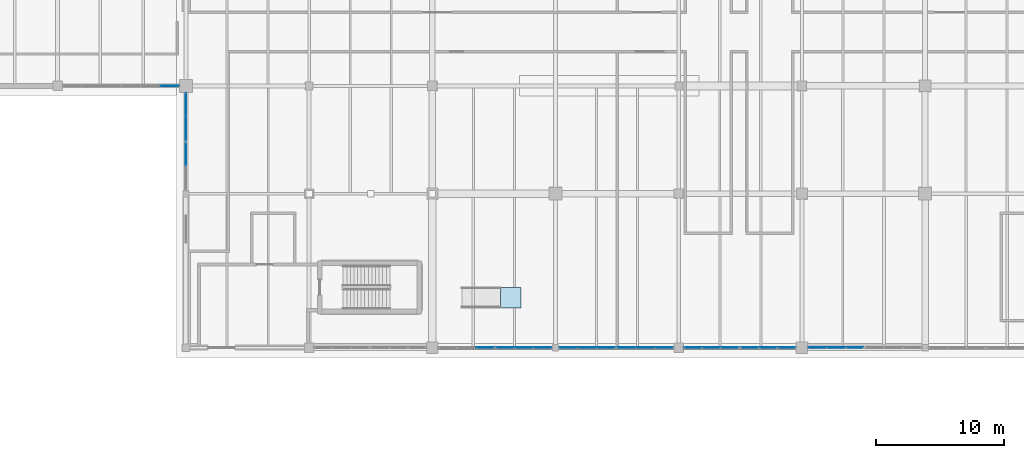
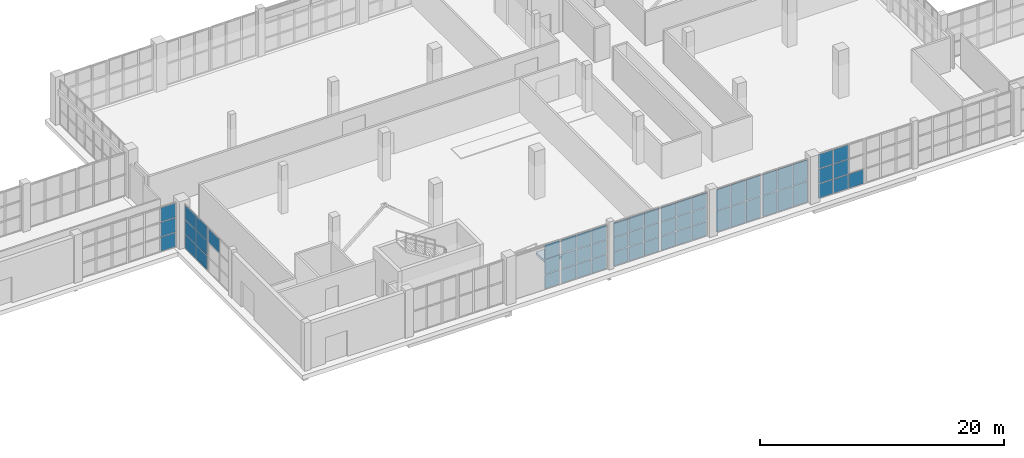
# One storey, part 77 of 121: 59 plates, 1 slab, 11 elements without a shape of their own.
"""IFC4 building model written with IfcOpenShell, lengths in metres."""

from ifc_helpers import new_model, si_unit, direction, frame, origin, origin_2d, place, context, subcontext, project, spatial, polyline, rectangle, outline, extrude, material, layer, layer_set, type_object, element, aggregate, save


model = new_model("IFC4")

# Units and contexts
model_context = context("Model", 3, precision=1e-05, world=origin(), true_north=direction((0.0, 1.0)))
body_context = subcontext(model_context, "Body", "Model", "MODEL_VIEW")
ifc_project = project(units=[si_unit("LENGTHUNIT", "METRE"), si_unit("AREAUNIT", "SQUARE_METRE"), si_unit("VOLUMEUNIT", "CUBIC_METRE"), si_unit("PLANEANGLEUNIT", "RADIAN"), si_unit("MASSUNIT", "GRAM", prefix="KILO")], contexts=[model_context])

# Site, building, storey
site_placement = place(None, origin())
site = spatial("IfcSite", under=ifc_project, at=site_placement, CompositionType="ELEMENT")
building_placement = place(site_placement, origin())
building = spatial("IfcBuilding", under=site, at=building_placement, Name="Zereglee Splitstone Museum", CompositionType="ELEMENT")
storey_placement = place(building_placement, origin())
storey = spatial("IfcBuildingStorey", under=building, at=storey_placement, Name="L00", CompositionType="ELEMENT", Elevation=0.0)

# Curtain wall, plates
ifc_material_1 = material(Name="Triple-glazed low-E argon glass and bronze-anodised aluminium", Category="aluminium")
ifc_layer_1 = layer(ifc_material_1, 0.179931640625)
ifc_layer_set_1 = layer_set([ifc_layer_1], Name="Triple-glazed low-E argon glass and bronze-anodised aluminium")
curtain_wall_type_1 = type_object("IfcCurtainWallType", Name="CW-0451-448", PredefinedType="USERDEFINED", material=ifc_layer_set_1)
curtain_wall_1_placement = place(storey_placement, origin())
curtain_wall_1 = element("IfcCurtainWall", 1, at=curtain_wall_1_placement, inside=storey, type_object=curtain_wall_type_1, Name="Glazed Curtain Wall CW-0451-448 (L00)", ObjectType="GLAZED CURTAIN WALL", PredefinedType="USERDEFINED")
ifc_material_2 = material(Name="Triple low-e argon insulated safety glass", Category="glass")
ifc_layer_2 = layer(ifc_material_2, 0.035888671875)
ifc_layer_set_2 = layer_set([ifc_layer_2], Name="Triple low-e argon insulated safety glass")
plate_type = type_object("IfcPlateType", Name="CWP-01", PredefinedType="CURTAIN_PANEL", material=ifc_layer_set_2)
plate_1_placement = place(storey_placement, frame((76.723388671875, 30.0, 0.06494140625), z_axis=(0.0, 0.0, 1.0), x_axis=(1.0, 0.0, 0.0)))
plate_1 = element("IfcPlate", 2, at=plate_1_placement, type_object=plate_type, Name="CW-0451-448 panel 3.1", PredefinedType="CURTAIN_PANEL", context=body_context, shape_type="SweptSolid", body=[
    extrude(rectangle(XDim=1.4072265625, YDim=0.035888671875, at=origin_2d()), origin(), (0.0, 0.0, 1.0), 1.395751953125),
])
plate_2_placement = place(storey_placement, frame((76.723388671875, 30.0, 1.52587890625), z_axis=(0.0, 0.0, 1.0), x_axis=(1.0, 0.0, 0.0)))
plate_2 = element("IfcPlate", 3, at=plate_2_placement, type_object=plate_type, Name="CW-0451-448 panel 3.2", PredefinedType="CURTAIN_PANEL", context=body_context, shape_type="SweptSolid", body=[
    extrude(rectangle(XDim=1.4072265625, YDim=0.035888671875, at=origin_2d()), origin(), (0.0, 0.0, 1.0), 1.428466796875),
])
plate_3_placement = place(storey_placement, frame((76.723388671875, 30.0, 3.01904296875), z_axis=(0.0, 0.0, 1.0), x_axis=(1.0, 0.0, 0.0)))
plate_3 = element("IfcPlate", 4, at=plate_3_placement, type_object=plate_type, Name="CW-0451-448 panel 3.3", PredefinedType="CURTAIN_PANEL", context=body_context, shape_type="SweptSolid", body=[
    extrude(rectangle(XDim=1.4072265625, YDim=0.035888671875, at=origin_2d()), origin(), (0.0, 0.0, 1.0), 1.395751953125),
])
aggregate(curtain_wall_1, [plate_1, plate_2, plate_3])

ifc_layer_3 = layer(ifc_material_1, 0.179931640625)
ifc_layer_set_3 = layer_set([ifc_layer_3], Name="Triple-glazed low-E argon glass and bronze-anodised aluminium")
curtain_wall_type_2 = type_object("IfcCurtainWallType", Name="CW-0378-444", PredefinedType="USERDEFINED", material=ifc_layer_set_3)
curtain_wall_2_placement = place(storey_placement, origin())
curtain_wall_2 = element("IfcCurtainWall", 5, at=curtain_wall_2_placement, inside=storey, type_object=curtain_wall_type_2, Name="Glazed Curtain Wall CW-0378-444 (L00)", ObjectType="GLAZED CURTAIN WALL", PredefinedType="USERDEFINED")
plate_4_placement = place(storey_placement, frame((78.0, 28.531494140625, 0.06494140625), z_axis=(0.0, 0.0, 1.0), x_axis=(0.0, -1.0, 0.0)))
plate_4 = element("IfcPlate", 6, at=plate_4_placement, type_object=plate_type, Name="CW-0378-444 panel 1.1", PredefinedType="CURTAIN_PANEL", context=body_context, shape_type="SweptSolid", body=[
    extrude(rectangle(XDim=1.791015625, YDim=0.035888671875, at=origin_2d()), origin(), (0.0, 0.0, 1.0), 1.382568359375),
])
plate_5_placement = place(storey_placement, frame((78.0, 28.531494140625, 1.512451171875), z_axis=(0.0, 0.0, 1.0), x_axis=(0.0, -1.0, 0.0)))
plate_5 = element("IfcPlate", 7, at=plate_5_placement, type_object=plate_type, Name="CW-0378-444 panel 1.2", PredefinedType="CURTAIN_PANEL", context=body_context, shape_type="SweptSolid", body=[
    extrude(rectangle(XDim=1.791015625, YDim=0.035888671875, at=origin_2d()), origin(), (0.0, 0.0, 1.0), 1.4150390625),
])
plate_6_placement = place(storey_placement, frame((78.0, 28.531494140625, 2.99267578125), z_axis=(0.0, 0.0, 1.0), x_axis=(0.0, -1.0, 0.0)))
plate_6 = element("IfcPlate", 8, at=plate_6_placement, type_object=plate_type, Name="CW-0378-444 panel 1.3", PredefinedType="CURTAIN_PANEL", context=body_context, shape_type="SweptSolid", body=[
    extrude(rectangle(XDim=1.791015625, YDim=0.035888671875, at=origin_2d()), origin(), (0.0, 0.0, 1.0), 1.382568359375),
])
plate_7_placement = place(storey_placement, frame((78.0, 26.675537109375, 0.06494140625), z_axis=(0.0, 0.0, 1.0), x_axis=(0.0, -1.0, 0.0)))
plate_7 = element("IfcPlate", 9, at=plate_7_placement, type_object=plate_type, Name="CW-0378-444 panel 2.1", PredefinedType="CURTAIN_PANEL", context=body_context, shape_type="SweptSolid", body=[
    extrude(rectangle(XDim=1.791015625, YDim=0.035888671875, at=origin_2d()), origin(), (0.0, 0.0, 1.0), 1.382568359375),
])
plate_8_placement = place(storey_placement, frame((78.0, 26.675537109375, 1.512451171875), z_axis=(0.0, 0.0, 1.0), x_axis=(0.0, -1.0, 0.0)))
plate_8 = element("IfcPlate", 10, at=plate_8_placement, type_object=plate_type, Name="CW-0378-444 panel 2.2", PredefinedType="CURTAIN_PANEL", context=body_context, shape_type="SweptSolid", body=[
    extrude(rectangle(XDim=1.791015625, YDim=0.035888671875, at=origin_2d()), origin(), (0.0, 0.0, 1.0), 1.4150390625),
])
plate_9_placement = place(storey_placement, frame((78.0, 26.675537109375, 2.99267578125), z_axis=(0.0, 0.0, 1.0), x_axis=(0.0, -1.0, 0.0)))
plate_9 = element("IfcPlate", 11, at=plate_9_placement, type_object=plate_type, Name="CW-0378-444 panel 2.3", PredefinedType="CURTAIN_PANEL", context=body_context, shape_type="SweptSolid", body=[
    extrude(rectangle(XDim=1.791015625, YDim=0.035888671875, at=origin_2d()), origin(), (0.0, 0.0, 1.0), 1.382568359375),
])
aggregate(curtain_wall_2, [plate_4, plate_5, plate_6, plate_7, plate_8, plate_9])

# Curtain wall, plate
ifc_layer_4 = layer(ifc_material_1, 0.179931640625)
ifc_layer_set_4 = layer_set([ifc_layer_4], Name="Triple-glazed low-E argon glass and bronze-anodised aluminium")
curtain_wall_type_3 = type_object("IfcCurtainWallType", Name="CW-0378-442", PredefinedType="USERDEFINED", material=ifc_layer_set_4)
curtain_wall_3_placement = place(storey_placement, origin())
curtain_wall_3 = element("IfcCurtainWall", 12, at=curtain_wall_3_placement, inside=storey, type_object=curtain_wall_type_3, Name="Glazed Curtain Wall CW-0378-442 (L00)", ObjectType="GLAZED CURTAIN WALL", PredefinedType="USERDEFINED")
plate_10_placement = place(storey_placement, frame((78.0, 24.674560546875, 2.97900390625), z_axis=(0.0, 0.0, 1.0), x_axis=(0.0, -1.0, 0.0)))
plate_10 = element("IfcPlate", 13, at=plate_10_placement, type_object=plate_type, Name="CW-0378-442 panel 1.3", PredefinedType="CURTAIN_PANEL", context=body_context, shape_type="SweptSolid", body=[
    extrude(rectangle(XDim=1.791015625, YDim=0.035888671875, at=origin_2d()), origin(), (0.0, 0.0, 1.0), 1.375732421875),
])
aggregate(curtain_wall_3, [plate_10])

# Curtain wall, plates
ifc_layer_5 = layer(ifc_material_1, 0.179931640625)
ifc_layer_set_5 = layer_set([ifc_layer_5], Name="Triple-glazed low-E argon glass and bronze-anodised aluminium")
curtain_wall_type_4 = type_object("IfcCurtainWallType", Name="CW-0440-450", PredefinedType="USERDEFINED", material=ifc_layer_set_5)
curtain_wall_4_placement = place(storey_placement, origin())
curtain_wall_4 = element("IfcCurtainWall", 14, at=curtain_wall_4_placement, inside=storey, type_object=curtain_wall_type_4, Name="Glazed Curtain Wall CW-0440-450 (L00)", ObjectType="GLAZED CURTAIN WALL", PredefinedType="USERDEFINED")
plate_11_placement = place(storey_placement, frame((101.31005859375, 9.60009765625, 0.06494140625), z_axis=(0.0, 0.0, 1.0), x_axis=(1.0, 0.0, 0.0)))
plate_11 = element("IfcPlate", 15, at=plate_11_placement, type_object=plate_type, Name="CW-0440-450 panel 3.1", PredefinedType="CURTAIN_PANEL", context=body_context, shape_type="SweptSolid", body=[
    extrude(rectangle(XDim=1.369873046875, YDim=0.035888671875, at=origin_2d()), origin(), (0.0, 0.0, 1.0), 1.402587890625),
])
plate_12_placement = place(storey_placement, frame((101.31005859375, 9.60009765625, 1.532470703125), z_axis=(0.0, 0.0, 1.0), x_axis=(1.0, 0.0, 0.0)))
plate_12 = element("IfcPlate", 16, at=plate_12_placement, type_object=plate_type, Name="CW-0440-450 panel 3.2", PredefinedType="CURTAIN_PANEL", context=body_context, shape_type="SweptSolid", body=[
    extrude(rectangle(XDim=1.369873046875, YDim=0.035888671875, at=origin_2d()), origin(), (0.0, 0.0, 1.0), 1.43505859375),
])
plate_13_placement = place(storey_placement, frame((101.31005859375, 9.60009765625, 3.0322265625), z_axis=(0.0, 0.0, 1.0), x_axis=(1.0, 0.0, 0.0)))
plate_13 = element("IfcPlate", 17, at=plate_13_placement, type_object=plate_type, Name="CW-0440-450 panel 3.3", PredefinedType="CURTAIN_PANEL", context=body_context, shape_type="SweptSolid", body=[
    extrude(rectangle(XDim=1.369873046875, YDim=0.035888671875, at=origin_2d()), origin(), (0.0, 0.0, 1.0), 1.402587890625),
])
aggregate(curtain_wall_4, [plate_11, plate_12, plate_13])

ifc_layer_6 = layer(ifc_material_1, 0.179931640625)
ifc_layer_set_6 = layer_set([ifc_layer_6], Name="Triple-glazed low-E argon glass and bronze-anodised aluminium")
curtain_wall_type_5 = type_object("IfcCurtainWallType", Name="CW-0440-448", PredefinedType="USERDEFINED", material=ifc_layer_set_6)
curtain_wall_5_placement = place(storey_placement, origin())
curtain_wall_5 = element("IfcCurtainWall", 18, at=curtain_wall_5_placement, inside=storey, type_object=curtain_wall_type_5, Name="Glazed Curtain Wall CW-0440-448 (L00)", ObjectType="GLAZED CURTAIN WALL", PredefinedType="USERDEFINED")
plate_14_placement = place(storey_placement, frame((102.889892578125, 9.60009765625, 0.06494140625), z_axis=(0.0, 0.0, 1.0), x_axis=(1.0, 0.0, 0.0)))
plate_14 = element("IfcPlate", 19, at=plate_14_placement, type_object=plate_type, Name="CW-0440-448 panel 1.1", PredefinedType="CURTAIN_PANEL", context=body_context, shape_type="SweptSolid", body=[
    extrude(rectangle(XDim=1.369873046875, YDim=0.035888671875, at=origin_2d()), origin(), (0.0, 0.0, 1.0), 1.395751953125),
])
plate_15_placement = place(storey_placement, frame((102.889892578125, 9.60009765625, 1.52587890625), z_axis=(0.0, 0.0, 1.0), x_axis=(1.0, 0.0, 0.0)))
plate_15 = element("IfcPlate", 20, at=plate_15_placement, type_object=plate_type, Name="CW-0440-448 panel 1.2", PredefinedType="CURTAIN_PANEL", context=body_context, shape_type="SweptSolid", body=[
    extrude(rectangle(XDim=1.369873046875, YDim=0.035888671875, at=origin_2d()), origin(), (0.0, 0.0, 1.0), 1.428466796875),
])
plate_16_placement = place(storey_placement, frame((102.889892578125, 9.60009765625, 3.01904296875), z_axis=(0.0, 0.0, 1.0), x_axis=(1.0, 0.0, 0.0)))
plate_16 = element("IfcPlate", 21, at=plate_16_placement, type_object=plate_type, Name="CW-0440-448 panel 1.3", PredefinedType="CURTAIN_PANEL", context=body_context, shape_type="SweptSolid", body=[
    extrude(rectangle(XDim=1.369873046875, YDim=0.035888671875, at=origin_2d()), origin(), (0.0, 0.0, 1.0), 1.395751953125),
])
plate_17_placement = place(storey_placement, frame((104.341064453125, 9.60009765625, 0.06494140625), z_axis=(0.0, 0.0, 1.0), x_axis=(1.0, 0.0, 0.0)))
plate_17 = element("IfcPlate", 22, at=plate_17_placement, type_object=plate_type, Name="CW-0440-448 panel 2.1", PredefinedType="CURTAIN_PANEL", context=body_context, shape_type="SweptSolid", body=[
    extrude(rectangle(XDim=1.40234375, YDim=0.035888671875, at=origin_2d()), origin(), (0.0, 0.0, 1.0), 1.395751953125),
])
plate_18_placement = place(storey_placement, frame((104.341064453125, 9.60009765625, 1.52587890625), z_axis=(0.0, 0.0, 1.0), x_axis=(1.0, 0.0, 0.0)))
plate_18 = element("IfcPlate", 23, at=plate_18_placement, type_object=plate_type, Name="CW-0440-448 panel 2.2", PredefinedType="CURTAIN_PANEL", context=body_context, shape_type="SweptSolid", body=[
    extrude(rectangle(XDim=1.40234375, YDim=0.035888671875, at=origin_2d()), origin(), (0.0, 0.0, 1.0), 1.428466796875),
])
plate_19_placement = place(storey_placement, frame((104.341064453125, 9.60009765625, 3.01904296875), z_axis=(0.0, 0.0, 1.0), x_axis=(1.0, 0.0, 0.0)))
plate_19 = element("IfcPlate", 24, at=plate_19_placement, type_object=plate_type, Name="CW-0440-448 panel 2.3", PredefinedType="CURTAIN_PANEL", context=body_context, shape_type="SweptSolid", body=[
    extrude(rectangle(XDim=1.40234375, YDim=0.035888671875, at=origin_2d()), origin(), (0.0, 0.0, 1.0), 1.395751953125),
])
plate_20_placement = place(storey_placement, frame((105.7919921875, 9.60009765625, 0.06494140625), z_axis=(0.0, 0.0, 1.0), x_axis=(1.0, 0.0, 0.0)))
plate_20 = element("IfcPlate", 25, at=plate_20_placement, type_object=plate_type, Name="CW-0440-448 panel 3.1", PredefinedType="CURTAIN_PANEL", context=body_context, shape_type="SweptSolid", body=[
    extrude(rectangle(XDim=1.369873046875, YDim=0.035888671875, at=origin_2d()), origin(), (0.0, 0.0, 1.0), 1.395751953125),
])
plate_21_placement = place(storey_placement, frame((105.7919921875, 9.60009765625, 1.52587890625), z_axis=(0.0, 0.0, 1.0), x_axis=(1.0, 0.0, 0.0)))
plate_21 = element("IfcPlate", 26, at=plate_21_placement, type_object=plate_type, Name="CW-0440-448 panel 3.2", PredefinedType="CURTAIN_PANEL", context=body_context, shape_type="SweptSolid", body=[
    extrude(rectangle(XDim=1.369873046875, YDim=0.035888671875, at=origin_2d()), origin(), (0.0, 0.0, 1.0), 1.428466796875),
])
plate_22_placement = place(storey_placement, frame((105.7919921875, 9.60009765625, 3.01904296875), z_axis=(0.0, 0.0, 1.0), x_axis=(1.0, 0.0, 0.0)))
plate_22 = element("IfcPlate", 27, at=plate_22_placement, type_object=plate_type, Name="CW-0440-448 panel 3.3", PredefinedType="CURTAIN_PANEL", context=body_context, shape_type="SweptSolid", body=[
    extrude(rectangle(XDim=1.369873046875, YDim=0.035888671875, at=origin_2d()), origin(), (0.0, 0.0, 1.0), 1.395751953125),
])
aggregate(curtain_wall_5, [plate_14, plate_15, plate_16, plate_17, plate_18, plate_19, plate_20, plate_21, plate_22])

ifc_layer_7 = layer(ifc_material_1, 0.179931640625)
ifc_layer_set_7 = layer_set([ifc_layer_7], Name="Triple-glazed low-E argon glass and bronze-anodised aluminium")
curtain_wall_type_6 = type_object("IfcCurtainWallType", Name="CW-0444-444", PredefinedType="USERDEFINED", material=ifc_layer_set_7)
curtain_wall_6_placement = place(storey_placement, origin())
curtain_wall_6 = element("IfcCurtainWall", 28, at=curtain_wall_6_placement, inside=storey, type_object=curtain_wall_type_6, Name="Glazed Curtain Wall CW-0444-444 (L00)", ObjectType="GLAZED CURTAIN WALL", PredefinedType="USERDEFINED")
plate_23_placement = place(storey_placement, frame((107.814208984375, 9.60009765625, 0.06494140625), z_axis=(0.0, 0.0, 1.0), x_axis=(1.0, 0.0, 0.0)))
plate_23 = element("IfcPlate", 29, at=plate_23_placement, type_object=plate_type, Name="CW-0444-444 panel 1.1", PredefinedType="CURTAIN_PANEL", context=body_context, shape_type="SweptSolid", body=[
    extrude(rectangle(XDim=1.38232421875, YDim=0.035888671875, at=origin_2d()), origin(), (0.0, 0.0, 1.0), 1.382568359375),
])
plate_24_placement = place(storey_placement, frame((107.814208984375, 9.60009765625, 1.512451171875), z_axis=(0.0, 0.0, 1.0), x_axis=(1.0, 0.0, 0.0)))
plate_24 = element("IfcPlate", 30, at=plate_24_placement, type_object=plate_type, Name="CW-0444-444 panel 1.2", PredefinedType="CURTAIN_PANEL", context=body_context, shape_type="SweptSolid", body=[
    extrude(rectangle(XDim=1.38232421875, YDim=0.035888671875, at=origin_2d()), origin(), (0.0, 0.0, 1.0), 1.4150390625),
])
plate_25_placement = place(storey_placement, frame((107.814208984375, 9.60009765625, 2.99267578125), z_axis=(0.0, 0.0, 1.0), x_axis=(1.0, 0.0, 0.0)))
plate_25 = element("IfcPlate", 31, at=plate_25_placement, type_object=plate_type, Name="CW-0444-444 panel 1.3", PredefinedType="CURTAIN_PANEL", context=body_context, shape_type="SweptSolid", body=[
    extrude(rectangle(XDim=1.38232421875, YDim=0.035888671875, at=origin_2d()), origin(), (0.0, 0.0, 1.0), 1.382568359375),
])
plate_26_placement = place(storey_placement, frame((109.27783203125, 9.60009765625, 0.06494140625), z_axis=(0.0, 0.0, 1.0), x_axis=(1.0, 0.0, 0.0)))
plate_26 = element("IfcPlate", 32, at=plate_26_placement, type_object=plate_type, Name="CW-0444-444 panel 2.1", PredefinedType="CURTAIN_PANEL", context=body_context, shape_type="SweptSolid", body=[
    extrude(rectangle(XDim=1.414794921875, YDim=0.035888671875, at=origin_2d()), origin(), (0.0, 0.0, 1.0), 1.382568359375),
])
plate_27_placement = place(storey_placement, frame((109.27783203125, 9.60009765625, 1.512451171875), z_axis=(0.0, 0.0, 1.0), x_axis=(1.0, 0.0, 0.0)))
plate_27 = element("IfcPlate", 33, at=plate_27_placement, type_object=plate_type, Name="CW-0444-444 panel 2.2", PredefinedType="CURTAIN_PANEL", context=body_context, shape_type="SweptSolid", body=[
    extrude(rectangle(XDim=1.414794921875, YDim=0.035888671875, at=origin_2d()), origin(), (0.0, 0.0, 1.0), 1.4150390625),
])
plate_28_placement = place(storey_placement, frame((109.27783203125, 9.60009765625, 2.99267578125), z_axis=(0.0, 0.0, 1.0), x_axis=(1.0, 0.0, 0.0)))
plate_28 = element("IfcPlate", 34, at=plate_28_placement, type_object=plate_type, Name="CW-0444-444 panel 2.3", PredefinedType="CURTAIN_PANEL", context=body_context, shape_type="SweptSolid", body=[
    extrude(rectangle(XDim=1.414794921875, YDim=0.035888671875, at=origin_2d()), origin(), (0.0, 0.0, 1.0), 1.382568359375),
])
plate_29_placement = place(storey_placement, frame((110.741455078125, 9.60009765625, 0.06494140625), z_axis=(0.0, 0.0, 1.0), x_axis=(1.0, 0.0, 0.0)))
plate_29 = element("IfcPlate", 35, at=plate_29_placement, type_object=plate_type, Name="CW-0444-444 panel 3.1", PredefinedType="CURTAIN_PANEL", context=body_context, shape_type="SweptSolid", body=[
    extrude(rectangle(XDim=1.38232421875, YDim=0.035888671875, at=origin_2d()), origin(), (0.0, 0.0, 1.0), 1.382568359375),
])
plate_30_placement = place(storey_placement, frame((110.741455078125, 9.60009765625, 1.512451171875), z_axis=(0.0, 0.0, 1.0), x_axis=(1.0, 0.0, 0.0)))
plate_30 = element("IfcPlate", 36, at=plate_30_placement, type_object=plate_type, Name="CW-0444-444 panel 3.2", PredefinedType="CURTAIN_PANEL", context=body_context, shape_type="SweptSolid", body=[
    extrude(rectangle(XDim=1.38232421875, YDim=0.035888671875, at=origin_2d()), origin(), (0.0, 0.0, 1.0), 1.4150390625),
])
plate_31_placement = place(storey_placement, frame((110.741455078125, 9.60009765625, 2.99267578125), z_axis=(0.0, 0.0, 1.0), x_axis=(1.0, 0.0, 0.0)))
plate_31 = element("IfcPlate", 37, at=plate_31_placement, type_object=plate_type, Name="CW-0444-444 panel 3.3", PredefinedType="CURTAIN_PANEL", context=body_context, shape_type="SweptSolid", body=[
    extrude(rectangle(XDim=1.38232421875, YDim=0.035888671875, at=origin_2d()), origin(), (0.0, 0.0, 1.0), 1.382568359375),
])
aggregate(curtain_wall_6, [plate_23, plate_24, plate_25, plate_26, plate_27, plate_28, plate_29, plate_30, plate_31])

ifc_layer_8 = layer(ifc_material_1, 0.179931640625)
ifc_layer_set_8 = layer_set([ifc_layer_8], Name="Triple-glazed low-E argon glass and bronze-anodised aluminium")
curtain_wall_type_7 = type_object("IfcCurtainWallType", Name="CW-0444-442", PredefinedType="USERDEFINED", material=ifc_layer_set_8)
curtain_wall_7_placement = place(storey_placement, origin())
curtain_wall_7 = element("IfcCurtainWall", 38, at=curtain_wall_7_placement, inside=storey, type_object=curtain_wall_type_7, Name="Glazed Curtain Wall CW-0444-442 (L00)", ObjectType="GLAZED CURTAIN WALL", PredefinedType="USERDEFINED")
plate_32_placement = place(storey_placement, frame((112.333740234375, 9.60009765625, 0.06494140625), z_axis=(0.0, 0.0, 1.0), x_axis=(1.0, 0.0, 0.0)))
plate_32 = element("IfcPlate", 39, at=plate_32_placement, type_object=plate_type, Name="CW-0444-442 panel 1.1", PredefinedType="CURTAIN_PANEL", context=body_context, shape_type="SweptSolid", body=[
    extrude(rectangle(XDim=1.38232421875, YDim=0.035888671875, at=origin_2d()), origin(), (0.0, 0.0, 1.0), 1.375732421875),
])
plate_33_placement = place(storey_placement, frame((112.333740234375, 9.60009765625, 1.505859375), z_axis=(0.0, 0.0, 1.0), x_axis=(1.0, 0.0, 0.0)))
plate_33 = element("IfcPlate", 40, at=plate_33_placement, type_object=plate_type, Name="CW-0444-442 panel 1.2", PredefinedType="CURTAIN_PANEL", context=body_context, shape_type="SweptSolid", body=[
    extrude(rectangle(XDim=1.38232421875, YDim=0.035888671875, at=origin_2d()), origin(), (0.0, 0.0, 1.0), 1.408447265625),
])
plate_34_placement = place(storey_placement, frame((112.333740234375, 9.60009765625, 2.97900390625), z_axis=(0.0, 0.0, 1.0), x_axis=(1.0, 0.0, 0.0)))
plate_34 = element("IfcPlate", 41, at=plate_34_placement, type_object=plate_type, Name="CW-0444-442 panel 1.3", PredefinedType="CURTAIN_PANEL", context=body_context, shape_type="SweptSolid", body=[
    extrude(rectangle(XDim=1.38232421875, YDim=0.035888671875, at=origin_2d()), origin(), (0.0, 0.0, 1.0), 1.375732421875),
])
plate_35_placement = place(storey_placement, frame((113.79736328125, 9.60009765625, 0.06494140625), z_axis=(0.0, 0.0, 1.0), x_axis=(1.0, 0.0, 0.0)))
plate_35 = element("IfcPlate", 42, at=plate_35_placement, type_object=plate_type, Name="CW-0444-442 panel 2.1", PredefinedType="CURTAIN_PANEL", context=body_context, shape_type="SweptSolid", body=[
    extrude(rectangle(XDim=1.414794921875, YDim=0.035888671875, at=origin_2d()), origin(), (0.0, 0.0, 1.0), 1.375732421875),
])
plate_36_placement = place(storey_placement, frame((113.79736328125, 9.60009765625, 1.505859375), z_axis=(0.0, 0.0, 1.0), x_axis=(1.0, 0.0, 0.0)))
plate_36 = element("IfcPlate", 43, at=plate_36_placement, type_object=plate_type, Name="CW-0444-442 panel 2.2", PredefinedType="CURTAIN_PANEL", context=body_context, shape_type="SweptSolid", body=[
    extrude(rectangle(XDim=1.414794921875, YDim=0.035888671875, at=origin_2d()), origin(), (0.0, 0.0, 1.0), 1.408447265625),
])
plate_37_placement = place(storey_placement, frame((113.79736328125, 9.60009765625, 2.97900390625), z_axis=(0.0, 0.0, 1.0), x_axis=(1.0, 0.0, 0.0)))
plate_37 = element("IfcPlate", 44, at=plate_37_placement, type_object=plate_type, Name="CW-0444-442 panel 2.3", PredefinedType="CURTAIN_PANEL", context=body_context, shape_type="SweptSolid", body=[
    extrude(rectangle(XDim=1.414794921875, YDim=0.035888671875, at=origin_2d()), origin(), (0.0, 0.0, 1.0), 1.375732421875),
])
plate_38_placement = place(storey_placement, frame((115.2607421875, 9.60009765625, 0.06494140625), z_axis=(0.0, 0.0, 1.0), x_axis=(1.0, 0.0, 0.0)))
plate_38 = element("IfcPlate", 45, at=plate_38_placement, type_object=plate_type, Name="CW-0444-442 panel 3.1", PredefinedType="CURTAIN_PANEL", context=body_context, shape_type="SweptSolid", body=[
    extrude(rectangle(XDim=1.38232421875, YDim=0.035888671875, at=origin_2d()), origin(), (0.0, 0.0, 1.0), 1.375732421875),
])
plate_39_placement = place(storey_placement, frame((115.2607421875, 9.60009765625, 1.505859375), z_axis=(0.0, 0.0, 1.0), x_axis=(1.0, 0.0, 0.0)))
plate_39 = element("IfcPlate", 46, at=plate_39_placement, type_object=plate_type, Name="CW-0444-442 panel 3.2", PredefinedType="CURTAIN_PANEL", context=body_context, shape_type="SweptSolid", body=[
    extrude(rectangle(XDim=1.38232421875, YDim=0.035888671875, at=origin_2d()), origin(), (0.0, 0.0, 1.0), 1.408447265625),
])
plate_40_placement = place(storey_placement, frame((115.2607421875, 9.60009765625, 2.97900390625), z_axis=(0.0, 0.0, 1.0), x_axis=(1.0, 0.0, 0.0)))
plate_40 = element("IfcPlate", 47, at=plate_40_placement, type_object=plate_type, Name="CW-0444-442 panel 3.3", PredefinedType="CURTAIN_PANEL", context=body_context, shape_type="SweptSolid", body=[
    extrude(rectangle(XDim=1.38232421875, YDim=0.035888671875, at=origin_2d()), origin(), (0.0, 0.0, 1.0), 1.375732421875),
])
aggregate(curtain_wall_7, [plate_32, plate_33, plate_34, plate_35, plate_36, plate_37, plate_38, plate_39, plate_40])

ifc_layer_9 = layer(ifc_material_1, 0.179931640625)
ifc_layer_set_9 = layer_set([ifc_layer_9], Name="Triple-glazed low-E argon glass and bronze-anodised aluminium")
curtain_wall_type_8 = type_object("IfcCurtainWallType", Name="CW-0434-438", PredefinedType="USERDEFINED", material=ifc_layer_set_9)
curtain_wall_8_placement = place(storey_placement, origin())
curtain_wall_8 = element("IfcCurtainWall", 48, at=curtain_wall_8_placement, inside=storey, type_object=curtain_wall_type_8, Name="Glazed Curtain Wall CW-0434-438 (L00)", ObjectType="GLAZED CURTAIN WALL", PredefinedType="USERDEFINED")
plate_41_placement = place(storey_placement, frame((117.5224609375, 9.60009765625, 0.06494140625), z_axis=(0.0, 0.0, 1.0), x_axis=(1.0, 0.0, 0.0)))
plate_41 = element("IfcPlate", 49, at=plate_41_placement, type_object=plate_type, Name="CW-0434-438 panel 1.1", PredefinedType="CURTAIN_PANEL", context=body_context, shape_type="SweptSolid", body=[
    extrude(rectangle(XDim=1.34912109375, YDim=0.035888671875, at=origin_2d()), origin(), (0.0, 0.0, 1.0), 2.092529296875),
])
plate_42_placement = place(storey_placement, frame((117.5224609375, 9.60009765625, 2.22265625), z_axis=(0.0, 0.0, 1.0), x_axis=(1.0, 0.0, 0.0)))
plate_42 = element("IfcPlate", 50, at=plate_42_placement, type_object=plate_type, Name="CW-0434-438 panel 1.2", PredefinedType="CURTAIN_PANEL", context=body_context, shape_type="SweptSolid", body=[
    extrude(rectangle(XDim=1.34912109375, YDim=0.035888671875, at=origin_2d()), origin(), (0.0, 0.0, 1.0), 2.092529296875),
])
plate_43_placement = place(storey_placement, frame((118.95263671875, 9.60009765625, 0.06494140625), z_axis=(0.0, 0.0, 1.0), x_axis=(1.0, 0.0, 0.0)))
plate_43 = element("IfcPlate", 51, at=plate_43_placement, type_object=plate_type, Name="CW-0434-438 panel 2.1", PredefinedType="CURTAIN_PANEL", context=body_context, shape_type="SweptSolid", body=[
    extrude(rectangle(XDim=1.381591796875, YDim=0.035888671875, at=origin_2d()), origin(), (0.0, 0.0, 1.0), 2.092529296875),
])
plate_44_placement = place(storey_placement, frame((118.95263671875, 9.60009765625, 2.22265625), z_axis=(0.0, 0.0, 1.0), x_axis=(1.0, 0.0, 0.0)))
plate_44 = element("IfcPlate", 52, at=plate_44_placement, type_object=plate_type, Name="CW-0434-438 panel 2.2", PredefinedType="CURTAIN_PANEL", context=body_context, shape_type="SweptSolid", body=[
    extrude(rectangle(XDim=1.381591796875, YDim=0.035888671875, at=origin_2d()), origin(), (0.0, 0.0, 1.0), 2.092529296875),
])
plate_45_placement = place(storey_placement, frame((120.383056640625, 9.60009765625, 0.06494140625), z_axis=(0.0, 0.0, 1.0), x_axis=(1.0, 0.0, 0.0)))
plate_45 = element("IfcPlate", 53, at=plate_45_placement, type_object=plate_type, Name="CW-0434-438 panel 3.1", PredefinedType="CURTAIN_PANEL", context=body_context, shape_type="SweptSolid", body=[
    extrude(rectangle(XDim=1.34912109375, YDim=0.035888671875, at=origin_2d()), origin(), (0.0, 0.0, 1.0), 2.092529296875),
])
plate_46_placement = place(storey_placement, frame((120.383056640625, 9.60009765625, 2.22265625), z_axis=(0.0, 0.0, 1.0), x_axis=(1.0, 0.0, 0.0)))
plate_46 = element("IfcPlate", 54, at=plate_46_placement, type_object=plate_type, Name="CW-0434-438 panel 3.2", PredefinedType="CURTAIN_PANEL", context=body_context, shape_type="SweptSolid", body=[
    extrude(rectangle(XDim=1.34912109375, YDim=0.035888671875, at=origin_2d()), origin(), (0.0, 0.0, 1.0), 2.092529296875),
])
aggregate(curtain_wall_8, [plate_41, plate_42, plate_43, plate_44, plate_45, plate_46])

ifc_layer_10 = layer(ifc_material_1, 0.179931640625)
ifc_layer_set_10 = layer_set([ifc_layer_10], Name="Triple-glazed low-E argon glass and bronze-anodised aluminium")
curtain_wall_type_9 = type_object("IfcCurtainWallType", Name="CW-0434-436", PredefinedType="USERDEFINED", material=ifc_layer_set_10)
curtain_wall_9_placement = place(storey_placement, origin())
curtain_wall_9 = element("IfcCurtainWall", 55, at=curtain_wall_9_placement, inside=storey, type_object=curtain_wall_type_9, Name="Glazed Curtain Wall CW-0434-436 (L00)", ObjectType="GLAZED CURTAIN WALL", PredefinedType="USERDEFINED")
plate_47_placement = place(storey_placement, frame((121.94189453125, 9.60009765625, 0.06494140625), z_axis=(0.0, 0.0, 1.0), x_axis=(1.0, 0.0, 0.0)))
plate_47 = element("IfcPlate", 56, at=plate_47_placement, type_object=plate_type, Name="CW-0434-436 panel 1.1", PredefinedType="CURTAIN_PANEL", context=body_context, shape_type="SweptSolid", body=[
    extrude(rectangle(XDim=1.34912109375, YDim=0.035888671875, at=origin_2d()), origin(), (0.0, 0.0, 1.0), 2.08251953125),
])
plate_48_placement = place(storey_placement, frame((121.94189453125, 9.60009765625, 2.21240234375), z_axis=(0.0, 0.0, 1.0), x_axis=(1.0, 0.0, 0.0)))
plate_48 = element("IfcPlate", 57, at=plate_48_placement, type_object=plate_type, Name="CW-0434-436 panel 1.2", PredefinedType="CURTAIN_PANEL", context=body_context, shape_type="SweptSolid", body=[
    extrude(rectangle(XDim=1.34912109375, YDim=0.035888671875, at=origin_2d()), origin(), (0.0, 0.0, 1.0), 2.08251953125),
])
plate_49_placement = place(storey_placement, frame((123.372314453125, 9.60009765625, 0.06494140625), z_axis=(0.0, 0.0, 1.0), x_axis=(1.0, 0.0, 0.0)))
plate_49 = element("IfcPlate", 58, at=plate_49_placement, type_object=plate_type, Name="CW-0434-436 panel 2.1", PredefinedType="CURTAIN_PANEL", context=body_context, shape_type="SweptSolid", body=[
    extrude(rectangle(XDim=1.381591796875, YDim=0.035888671875, at=origin_2d()), origin(), (0.0, 0.0, 1.0), 2.08251953125),
])
plate_50_placement = place(storey_placement, frame((123.372314453125, 9.60009765625, 2.21240234375), z_axis=(0.0, 0.0, 1.0), x_axis=(1.0, 0.0, 0.0)))
plate_50 = element("IfcPlate", 59, at=plate_50_placement, type_object=plate_type, Name="CW-0434-436 panel 2.2", PredefinedType="CURTAIN_PANEL", context=body_context, shape_type="SweptSolid", body=[
    extrude(rectangle(XDim=1.381591796875, YDim=0.035888671875, at=origin_2d()), origin(), (0.0, 0.0, 1.0), 2.08251953125),
])
plate_51_placement = place(storey_placement, frame((124.802490234375, 9.60009765625, 0.06494140625), z_axis=(0.0, 0.0, 1.0), x_axis=(1.0, 0.0, 0.0)))
plate_51 = element("IfcPlate", 60, at=plate_51_placement, type_object=plate_type, Name="CW-0434-436 panel 3.1", PredefinedType="CURTAIN_PANEL", context=body_context, shape_type="SweptSolid", body=[
    extrude(rectangle(XDim=1.34912109375, YDim=0.035888671875, at=origin_2d()), origin(), (0.0, 0.0, 1.0), 2.08251953125),
])
plate_52_placement = place(storey_placement, frame((124.802490234375, 9.60009765625, 2.21240234375), z_axis=(0.0, 0.0, 1.0), x_axis=(1.0, 0.0, 0.0)))
plate_52 = element("IfcPlate", 61, at=plate_52_placement, type_object=plate_type, Name="CW-0434-436 panel 3.2", PredefinedType="CURTAIN_PANEL", context=body_context, shape_type="SweptSolid", body=[
    extrude(rectangle(XDim=1.34912109375, YDim=0.035888671875, at=origin_2d()), origin(), (0.0, 0.0, 1.0), 2.08251953125),
])
aggregate(curtain_wall_9, [plate_47, plate_48, plate_49, plate_50, plate_51, plate_52])

curtain_wall_10_placement = place(storey_placement, origin())
curtain_wall_10 = element("IfcCurtainWall", 62, at=curtain_wall_10_placement, inside=storey, type_object=curtain_wall_type_4, Name="Glazed Curtain Wall CW-0440-450 (L00)", ObjectType="GLAZED CURTAIN WALL", PredefinedType="USERDEFINED")
plate_53_placement = place(storey_placement, frame((127.2080078125, 9.60009765625, 0.06494140625), z_axis=(0.0, 0.0, 1.0), x_axis=(1.0, 0.0, 0.0)))
plate_53 = element("IfcPlate", 63, at=plate_53_placement, type_object=plate_type, Name="CW-0440-450 panel 1.1", PredefinedType="CURTAIN_PANEL", context=body_context, shape_type="SweptSolid", body=[
    extrude(rectangle(XDim=1.369873046875, YDim=0.035888671875, at=origin_2d()), origin(), (0.0, 0.0, 1.0), 1.402587890625),
])
plate_54_placement = place(storey_placement, frame((127.2080078125, 9.60009765625, 1.532470703125), z_axis=(0.0, 0.0, 1.0), x_axis=(1.0, 0.0, 0.0)))
plate_54 = element("IfcPlate", 64, at=plate_54_placement, type_object=plate_type, Name="CW-0440-450 panel 1.2", PredefinedType="CURTAIN_PANEL", context=body_context, shape_type="SweptSolid", body=[
    extrude(rectangle(XDim=1.369873046875, YDim=0.035888671875, at=origin_2d()), origin(), (0.0, 0.0, 1.0), 1.43505859375),
])
plate_55_placement = place(storey_placement, frame((127.2080078125, 9.60009765625, 3.0322265625), z_axis=(0.0, 0.0, 1.0), x_axis=(1.0, 0.0, 0.0)))
plate_55 = element("IfcPlate", 65, at=plate_55_placement, type_object=plate_type, Name="CW-0440-450 panel 1.3", PredefinedType="CURTAIN_PANEL", context=body_context, shape_type="SweptSolid", body=[
    extrude(rectangle(XDim=1.369873046875, YDim=0.035888671875, at=origin_2d()), origin(), (0.0, 0.0, 1.0), 1.402587890625),
])
plate_56_placement = place(storey_placement, frame((128.658935546875, 9.60009765625, 0.06494140625), z_axis=(0.0, 0.0, 1.0), x_axis=(1.0, 0.0, 0.0)))
plate_56 = element("IfcPlate", 66, at=plate_56_placement, type_object=plate_type, Name="CW-0440-450 panel 2.1", PredefinedType="CURTAIN_PANEL", context=body_context, shape_type="SweptSolid", body=[
    extrude(rectangle(XDim=1.40234375, YDim=0.035888671875, at=origin_2d()), origin(), (0.0, 0.0, 1.0), 1.402587890625),
])
plate_57_placement = place(storey_placement, frame((128.658935546875, 9.60009765625, 1.532470703125), z_axis=(0.0, 0.0, 1.0), x_axis=(1.0, 0.0, 0.0)))
plate_57 = element("IfcPlate", 67, at=plate_57_placement, type_object=plate_type, Name="CW-0440-450 panel 2.2", PredefinedType="CURTAIN_PANEL", context=body_context, shape_type="SweptSolid", body=[
    extrude(rectangle(XDim=1.40234375, YDim=0.035888671875, at=origin_2d()), origin(), (0.0, 0.0, 1.0), 1.43505859375),
])
plate_58_placement = place(storey_placement, frame((128.658935546875, 9.60009765625, 3.0322265625), z_axis=(0.0, 0.0, 1.0), x_axis=(1.0, 0.0, 0.0)))
plate_58 = element("IfcPlate", 68, at=plate_58_placement, type_object=plate_type, Name="CW-0440-450 panel 2.3", PredefinedType="CURTAIN_PANEL", context=body_context, shape_type="SweptSolid", body=[
    extrude(rectangle(XDim=1.40234375, YDim=0.035888671875, at=origin_2d()), origin(), (0.0, 0.0, 1.0), 1.402587890625),
])
plate_59_placement = place(storey_placement, frame((130.110107421875, 9.60009765625, 0.06494140625), z_axis=(0.0, 0.0, 1.0), x_axis=(1.0, 0.0, 0.0)))
plate_59 = element("IfcPlate", 69, at=plate_59_placement, type_object=plate_type, Name="CW-0440-450 panel 3.1", PredefinedType="CURTAIN_PANEL", context=body_context, shape_type="SweptSolid", body=[
    extrude(rectangle(XDim=1.369873046875, YDim=0.035888671875, at=origin_2d()), origin(), (0.0, 0.0, 1.0), 1.402587890625),
])
aggregate(curtain_wall_10, [plate_53, plate_54, plate_55, plate_56, plate_57, plate_58, plate_59])

# Ramp, slab
ifc_material_3 = material(Name="Concrete C35/45", Category="concrete")
ramp_type = type_object("IfcRampType", Name="RMP-01", PredefinedType="STRAIGHT_RUN_RAMP", material=ifc_material_3)
ramp_placement = place(storey_placement, origin())
ramp = element("IfcRamp", 70, at=ramp_placement, inside=storey, type_object=ramp_type, Name="Mineralogy Dais Accessible Ramp AR-2", PredefinedType="STRAIGHT_RUN_RAMP")
ifc_layer_11 = layer(ifc_material_3, 0.25)
ifc_layer_set_11 = layer_set([ifc_layer_11], Name="Concrete C35/45")
slab_type = type_object("IfcSlabType", Name="LS-01", PredefinedType="LANDING", material=ifc_layer_set_11)
slab_placement = place(storey_placement, origin())
slab = element("IfcSlab", 71, at=slab_placement, type_object=slab_type, Name="Mineralogy Dais Accessible Ramp AR-2 Arrival Landing", PredefinedType="LANDING", context=body_context, shape_type="SweptSolid", body=[
    extrude(outline(polyline([(102.5, 14.300048828125), (102.5, 12.699951171875), (104.10009765625, 12.699951171875), (104.10009765625, 14.300048828125), (102.5, 14.300048828125)])), origin(), (0.0, 0.0, 1.0), 0.25),
])
aggregate(ramp, [slab])

save(model, "model.ifc")
